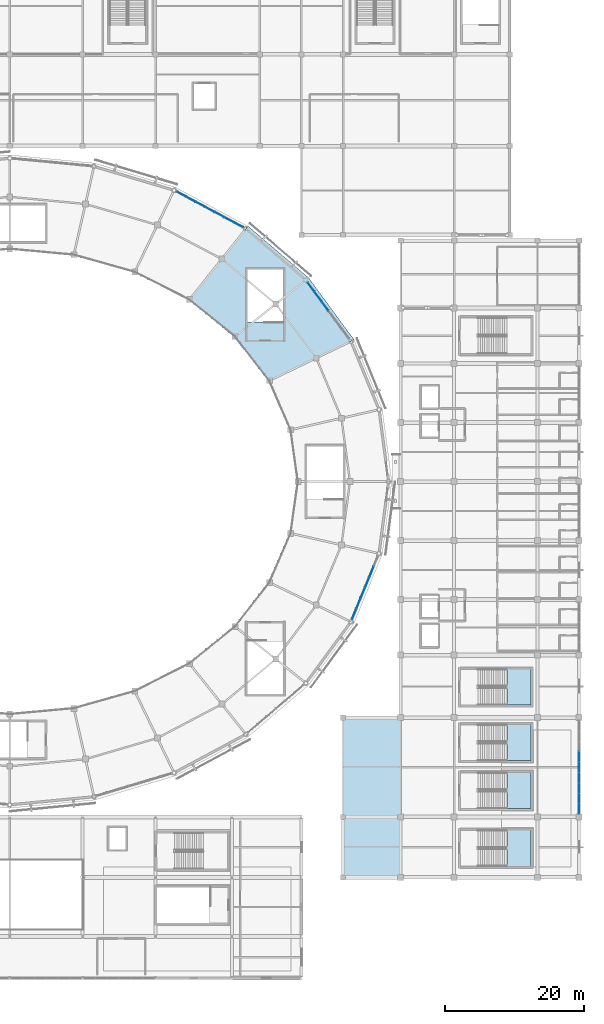
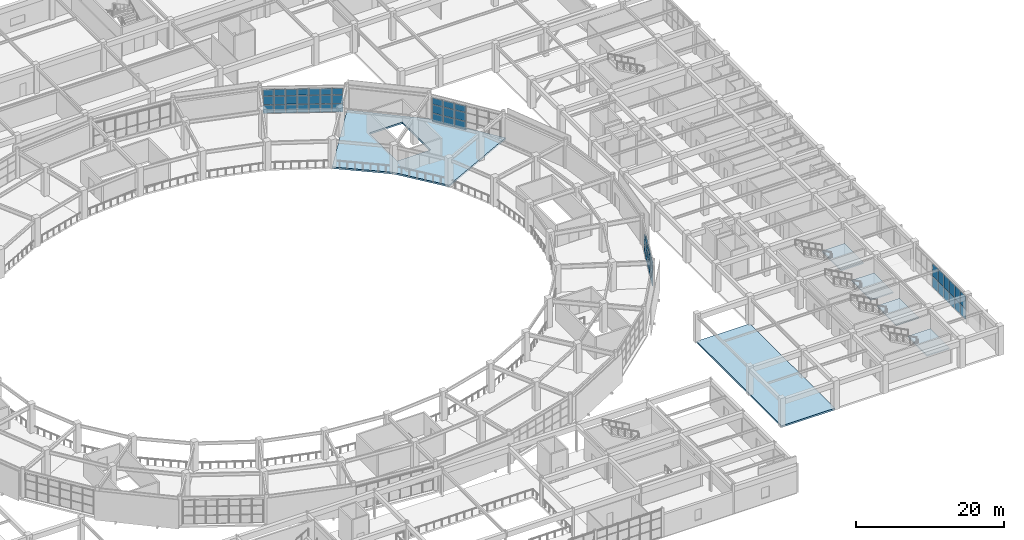
# One storey, part 73 of 112: 56 plates, 6 slabs, 8 elements without a shape of their own.
"""IFC4 building model written with IfcOpenShell, lengths in metres."""

from ifc_helpers import new_model, si_unit, direction, frame, origin, origin_2d, place, context, subcontext, project, spatial, polyline, rectangle, outline, extrude, material, layer, layer_set, type_object, element, aggregate, save


model = new_model("IFC4")

# Units and contexts
model_context = context("Model", 3, precision=1e-05, world=origin(), true_north=direction((0.0, 1.0)))
body_context = subcontext(model_context, "Body", "Model", "MODEL_VIEW")
ifc_project = project(units=[si_unit("LENGTHUNIT", "METRE"), si_unit("AREAUNIT", "SQUARE_METRE"), si_unit("VOLUMEUNIT", "CUBIC_METRE"), si_unit("PLANEANGLEUNIT", "RADIAN"), si_unit("MASSUNIT", "GRAM", prefix="KILO")], contexts=[model_context])

# Site, building, storey
site_placement = place(None, origin())
site = spatial("IfcSite", under=ifc_project, at=site_placement, CompositionType="ELEMENT")
building_placement = place(site_placement, origin())
building = spatial("IfcBuilding", under=site, at=building_placement, Name="Cuetzalor Civic Arena", CompositionType="ELEMENT")
storey_placement = place(building_placement, frame((0.0, 0.0, 11.39990234375)))
storey = spatial("IfcBuildingStorey", under=building, at=storey_placement, Name="L02", CompositionType="ELEMENT", Elevation=11.39990234375)

# Curtain wall, plates
ifc_material_1 = material(Name="Anodised dark bronze aluminium and low-E solar glass", Category="aluminium")
curtain_wall_type_1 = type_object("IfcCurtainWallType", Name="UnitisedCW_10150x4050", PredefinedType="USERDEFINED", material=ifc_material_1)
curtain_wall_1_placement = place(storey_placement, origin())
curtain_wall_1 = element("IfcCurtainWall", 1, at=curtain_wall_1_placement, inside=storey, type_object=curtain_wall_type_1, Name="Drum Triangle Foyer Curtain Wall L02-033", ObjectType="UNITISED CURTAIN WALL", PredefinedType="USERDEFINED")
ifc_material_2 = material(Name="Acoustic laminated solar control glass", Category="glass")
ifc_layer_1 = layer(ifc_material_2, 0.0439453125)
ifc_layer_set_1 = layer_set([ifc_layer_1], Name="Acoustic laminated solar control glass")
plate_type = type_object("IfcPlateType", Name="AcousticTripleGlazedPanel_44", PredefinedType="CURTAIN_PANEL", material=ifc_layer_set_1)
plate_1_placement = place(storey_placement, frame((43.40185546875, 28.000732421875, 0.06494140625), z_axis=(0.0, 0.0, 1.0), x_axis=(0.59292931222, -0.805254513002, 0.0)))
plate_1 = element("IfcPlate", 2, at=plate_1_placement, type_object=plate_type, Name="CW-12 panel 1.1", PredefinedType="CURTAIN_PANEL", context=body_context, shape_type="SweptSolid", body=[
    extrude(rectangle(XDim=1.59326171875, YDim=0.0439453125, at=origin_2d()), origin(), (0.0, 0.0, 1.0), 1.361572265625),
])
plate_2_placement = place(storey_placement, frame((43.40185546875, 28.000732421875, 1.491455078125), z_axis=(0.0, 0.0, 1.0), x_axis=(0.59292931222, -0.805254513002, 0.0)))
plate_2 = element("IfcPlate", 3, at=plate_2_placement, type_object=plate_type, Name="CW-12 panel 1.2", PredefinedType="CURTAIN_PANEL", context=body_context, shape_type="SweptSolid", body=[
    extrude(rectangle(XDim=1.59326171875, YDim=0.0439453125, at=origin_2d()), origin(), (0.0, 0.0, 1.0), 1.39404296875),
])
plate_3_placement = place(storey_placement, frame((43.40185546875, 28.000732421875, 2.950439453125), z_axis=(0.0, 0.0, 1.0), x_axis=(0.59292931222, -0.805254513002, 0.0)))
plate_3 = element("IfcPlate", 4, at=plate_3_placement, type_object=plate_type, Name="CW-12 panel 1.3", PredefinedType="CURTAIN_PANEL", context=body_context, shape_type="SweptSolid", body=[
    extrude(rectangle(XDim=1.59326171875, YDim=0.0439453125, at=origin_2d()), origin(), (0.0, 0.0, 1.0), 1.03759765625),
])
plate_4_placement = place(storey_placement, frame((44.394775390625, 26.652587890625, 0.06494140625), z_axis=(0.0, 0.0, 1.0), x_axis=(0.59292931222, -0.805254513002, 0.0)))
plate_4 = element("IfcPlate", 5, at=plate_4_placement, type_object=plate_type, Name="CW-12 panel 2.1", PredefinedType="CURTAIN_PANEL", context=body_context, shape_type="SweptSolid", body=[
    extrude(rectangle(XDim=1.625732421875, YDim=0.0439453125, at=origin_2d()), origin(), (0.0, 0.0, 1.0), 1.361572265625),
])
plate_5_placement = place(storey_placement, frame((44.394775390625, 26.652587890625, 1.491455078125), z_axis=(0.0, 0.0, 1.0), x_axis=(0.59292931222, -0.805254513002, 0.0)))
plate_5 = element("IfcPlate", 6, at=plate_5_placement, type_object=plate_type, Name="CW-12 panel 2.2", PredefinedType="CURTAIN_PANEL", context=body_context, shape_type="SweptSolid", body=[
    extrude(rectangle(XDim=1.625732421875, YDim=0.0439453125, at=origin_2d()), origin(), (0.0, 0.0, 1.0), 1.39404296875),
])
plate_6_placement = place(storey_placement, frame((44.394775390625, 26.652587890625, 2.950439453125), z_axis=(0.0, 0.0, 1.0), x_axis=(0.59292931222, -0.805254513002, 0.0)))
plate_6 = element("IfcPlate", 7, at=plate_6_placement, type_object=plate_type, Name="CW-12 panel 2.3", PredefinedType="CURTAIN_PANEL", context=body_context, shape_type="SweptSolid", body=[
    extrude(rectangle(XDim=1.625732421875, YDim=0.0439453125, at=origin_2d()), origin(), (0.0, 0.0, 1.0), 1.03759765625),
])
plate_7_placement = place(storey_placement, frame((45.397216796875, 25.291015625, 0.06494140625), z_axis=(0.0, 0.0, 1.0), x_axis=(0.59292931222, -0.805254513002, 0.0)))
plate_7 = element("IfcPlate", 8, at=plate_7_placement, type_object=plate_type, Name="CW-12 panel 3.1", PredefinedType="CURTAIN_PANEL", context=body_context, shape_type="SweptSolid", body=[
    extrude(rectangle(XDim=1.625732421875, YDim=0.0439453125, at=origin_2d()), origin(), (0.0, 0.0, 1.0), 1.361572265625),
])
plate_8_placement = place(storey_placement, frame((45.397216796875, 25.291015625, 1.491455078125), z_axis=(0.0, 0.0, 1.0), x_axis=(0.59292931222, -0.805254513002, 0.0)))
plate_8 = element("IfcPlate", 9, at=plate_8_placement, type_object=plate_type, Name="CW-12 panel 3.2", PredefinedType="CURTAIN_PANEL", context=body_context, shape_type="SweptSolid", body=[
    extrude(rectangle(XDim=1.625732421875, YDim=0.0439453125, at=origin_2d()), origin(), (0.0, 0.0, 1.0), 1.39404296875),
])
plate_9_placement = place(storey_placement, frame((45.397216796875, 25.291015625, 2.950439453125), z_axis=(0.0, 0.0, 1.0), x_axis=(0.59292931222, -0.805254513002, 0.0)))
plate_9 = element("IfcPlate", 10, at=plate_9_placement, type_object=plate_type, Name="CW-12 panel 3.3", PredefinedType="CURTAIN_PANEL", context=body_context, shape_type="SweptSolid", body=[
    extrude(rectangle(XDim=1.625732421875, YDim=0.0439453125, at=origin_2d()), origin(), (0.0, 0.0, 1.0), 1.03759765625),
])
aggregate(curtain_wall_1, [plate_1, plate_2, plate_3, plate_4, plate_5, plate_6, plate_7, plate_8, plate_9])

ifc_material_3 = material(Name="Anodised dark bronze aluminium and low-E solar glass", Category="aluminium")
curtain_wall_type_2 = type_object("IfcCurtainWallType", Name="UnitisedCW_10950x4050", PredefinedType="USERDEFINED", material=ifc_material_3)
curtain_wall_2_placement = place(storey_placement, origin())
curtain_wall_2 = element("IfcCurtainWall", 11, at=curtain_wall_2_placement, inside=storey, type_object=curtain_wall_type_2, Name="Drum Triangle Foyer Curtain Wall L02-034", ObjectType="UNITISED CURTAIN WALL", PredefinedType="USERDEFINED")
plate_10_placement = place(storey_placement, frame((24.7197265625, 41.37646484375, 0.06494140625), z_axis=(0.0, 0.0, 1.0), x_axis=(0.881306344124, -0.472545371163, 0.0)))
plate_10 = element("IfcPlate", 12, at=plate_10_placement, type_object=plate_type, Name="CW-13 panel 1.1", PredefinedType="CURTAIN_PANEL", context=body_context, shape_type="SweptSolid", body=[
    extrude(rectangle(XDim=1.46630859375, YDim=0.0439453125, at=origin_2d()), origin(), (0.0, 0.0, 1.0), 1.361572265625),
])
plate_11_placement = place(storey_placement, frame((24.7197265625, 41.37646484375, 1.491455078125), z_axis=(0.0, 0.0, 1.0), x_axis=(0.881306344124, -0.472545371163, 0.0)))
plate_11 = element("IfcPlate", 13, at=plate_11_placement, type_object=plate_type, Name="CW-13 panel 1.2", PredefinedType="CURTAIN_PANEL", context=body_context, shape_type="SweptSolid", body=[
    extrude(rectangle(XDim=1.46630859375, YDim=0.0439453125, at=origin_2d()), origin(), (0.0, 0.0, 1.0), 1.39404296875),
])
plate_12_placement = place(storey_placement, frame((24.7197265625, 41.37646484375, 2.950439453125), z_axis=(0.0, 0.0, 1.0), x_axis=(0.881306344124, -0.472545371163, 0.0)))
plate_12 = element("IfcPlate", 14, at=plate_12_placement, type_object=plate_type, Name="CW-13 panel 1.3", PredefinedType="CURTAIN_PANEL", context=body_context, shape_type="SweptSolid", body=[
    extrude(rectangle(XDim=1.46630859375, YDim=0.0439453125, at=origin_2d()), origin(), (0.0, 0.0, 1.0), 1.03759765625),
])
plate_13_placement = place(storey_placement, frame((26.08349609375, 40.64501953125, 0.06494140625), z_axis=(0.0, 0.0, 1.0), x_axis=(0.881306344124, -0.472545371163, 0.0)))
plate_13 = element("IfcPlate", 15, at=plate_13_placement, type_object=plate_type, Name="CW-13 panel 2.1", PredefinedType="CURTAIN_PANEL", context=body_context, shape_type="SweptSolid", body=[
    extrude(rectangle(XDim=1.498779296875, YDim=0.0439453125, at=origin_2d()), origin(), (0.0, 0.0, 1.0), 1.361572265625),
])
plate_14_placement = place(storey_placement, frame((26.08349609375, 40.64501953125, 1.491455078125), z_axis=(0.0, 0.0, 1.0), x_axis=(0.881306344124, -0.472545371163, 0.0)))
plate_14 = element("IfcPlate", 16, at=plate_14_placement, type_object=plate_type, Name="CW-13 panel 2.2", PredefinedType="CURTAIN_PANEL", context=body_context, shape_type="SweptSolid", body=[
    extrude(rectangle(XDim=1.498779296875, YDim=0.0439453125, at=origin_2d()), origin(), (0.0, 0.0, 1.0), 1.39404296875),
])
plate_15_placement = place(storey_placement, frame((26.08349609375, 40.64501953125, 2.950439453125), z_axis=(0.0, 0.0, 1.0), x_axis=(0.881306344124, -0.472545371163, 0.0)))
plate_15 = element("IfcPlate", 17, at=plate_15_placement, type_object=plate_type, Name="CW-13 panel 2.3", PredefinedType="CURTAIN_PANEL", context=body_context, shape_type="SweptSolid", body=[
    extrude(rectangle(XDim=1.498779296875, YDim=0.0439453125, at=origin_2d()), origin(), (0.0, 0.0, 1.0), 1.03759765625),
])
plate_16_placement = place(storey_placement, frame((27.461669921875, 39.90625, 0.06494140625), z_axis=(0.0, 0.0, 1.0), x_axis=(0.881306344124, -0.472545371163, 0.0)))
plate_16 = element("IfcPlate", 18, at=plate_16_placement, type_object=plate_type, Name="CW-13 panel 3.1", PredefinedType="CURTAIN_PANEL", context=body_context, shape_type="SweptSolid", body=[
    extrude(rectangle(XDim=1.498779296875, YDim=0.0439453125, at=origin_2d()), origin(), (0.0, 0.0, 1.0), 1.361572265625),
])
plate_17_placement = place(storey_placement, frame((27.461669921875, 39.90625, 1.491455078125), z_axis=(0.0, 0.0, 1.0), x_axis=(0.881306344124, -0.472545371163, 0.0)))
plate_17 = element("IfcPlate", 19, at=plate_17_placement, type_object=plate_type, Name="CW-13 panel 3.2", PredefinedType="CURTAIN_PANEL", context=body_context, shape_type="SweptSolid", body=[
    extrude(rectangle(XDim=1.498779296875, YDim=0.0439453125, at=origin_2d()), origin(), (0.0, 0.0, 1.0), 1.39404296875),
])
plate_18_placement = place(storey_placement, frame((27.461669921875, 39.90625, 2.950439453125), z_axis=(0.0, 0.0, 1.0), x_axis=(0.881306344124, -0.472545371163, 0.0)))
plate_18 = element("IfcPlate", 20, at=plate_18_placement, type_object=plate_type, Name="CW-13 panel 3.3", PredefinedType="CURTAIN_PANEL", context=body_context, shape_type="SweptSolid", body=[
    extrude(rectangle(XDim=1.498779296875, YDim=0.0439453125, at=origin_2d()), origin(), (0.0, 0.0, 1.0), 1.03759765625),
])
plate_19_placement = place(storey_placement, frame((28.83984375, 39.167236328125, 0.06494140625), z_axis=(0.0, 0.0, 1.0), x_axis=(0.881306344124, -0.472545371163, 0.0)))
plate_19 = element("IfcPlate", 21, at=plate_19_placement, type_object=plate_type, Name="CW-13 panel 4.1", PredefinedType="CURTAIN_PANEL", context=body_context, shape_type="SweptSolid", body=[
    extrude(rectangle(XDim=1.498779296875, YDim=0.0439453125, at=origin_2d()), origin(), (0.0, 0.0, 1.0), 1.361572265625),
])
plate_20_placement = place(storey_placement, frame((28.83984375, 39.167236328125, 1.491455078125), z_axis=(0.0, 0.0, 1.0), x_axis=(0.881306344124, -0.472545371163, 0.0)))
plate_20 = element("IfcPlate", 22, at=plate_20_placement, type_object=plate_type, Name="CW-13 panel 4.2", PredefinedType="CURTAIN_PANEL", context=body_context, shape_type="SweptSolid", body=[
    extrude(rectangle(XDim=1.498779296875, YDim=0.0439453125, at=origin_2d()), origin(), (0.0, 0.0, 1.0), 1.39404296875),
])
plate_21_placement = place(storey_placement, frame((28.83984375, 39.167236328125, 2.950439453125), z_axis=(0.0, 0.0, 1.0), x_axis=(0.881306344124, -0.472545371163, 0.0)))
plate_21 = element("IfcPlate", 23, at=plate_21_placement, type_object=plate_type, Name="CW-13 panel 4.3", PredefinedType="CURTAIN_PANEL", context=body_context, shape_type="SweptSolid", body=[
    extrude(rectangle(XDim=1.498779296875, YDim=0.0439453125, at=origin_2d()), origin(), (0.0, 0.0, 1.0), 1.03759765625),
])
plate_22_placement = place(storey_placement, frame((30.218017578125, 38.42822265625, 0.06494140625), z_axis=(0.0, 0.0, 1.0), x_axis=(0.881306344124, -0.472545371163, 0.0)))
plate_22 = element("IfcPlate", 24, at=plate_22_placement, type_object=plate_type, Name="CW-13 panel 5.1", PredefinedType="CURTAIN_PANEL", context=body_context, shape_type="SweptSolid", body=[
    extrude(rectangle(XDim=1.498779296875, YDim=0.0439453125, at=origin_2d()), origin(), (0.0, 0.0, 1.0), 1.361572265625),
])
plate_23_placement = place(storey_placement, frame((30.218017578125, 38.42822265625, 1.491455078125), z_axis=(0.0, 0.0, 1.0), x_axis=(0.881306344124, -0.472545371163, 0.0)))
plate_23 = element("IfcPlate", 25, at=plate_23_placement, type_object=plate_type, Name="CW-13 panel 5.2", PredefinedType="CURTAIN_PANEL", context=body_context, shape_type="SweptSolid", body=[
    extrude(rectangle(XDim=1.498779296875, YDim=0.0439453125, at=origin_2d()), origin(), (0.0, 0.0, 1.0), 1.39404296875),
])
plate_24_placement = place(storey_placement, frame((30.218017578125, 38.42822265625, 2.950439453125), z_axis=(0.0, 0.0, 1.0), x_axis=(0.881306344124, -0.472545371163, 0.0)))
plate_24 = element("IfcPlate", 26, at=plate_24_placement, type_object=plate_type, Name="CW-13 panel 5.3", PredefinedType="CURTAIN_PANEL", context=body_context, shape_type="SweptSolid", body=[
    extrude(rectangle(XDim=1.498779296875, YDim=0.0439453125, at=origin_2d()), origin(), (0.0, 0.0, 1.0), 1.03759765625),
])
plate_25_placement = place(storey_placement, frame((31.59619140625, 37.689208984375, 0.06494140625), z_axis=(0.0, 0.0, 1.0), x_axis=(0.881306344124, -0.472545371163, 0.0)))
plate_25 = element("IfcPlate", 27, at=plate_25_placement, type_object=plate_type, Name="CW-13 panel 6.1", PredefinedType="CURTAIN_PANEL", context=body_context, shape_type="SweptSolid", body=[
    extrude(rectangle(XDim=1.498779296875, YDim=0.0439453125, at=origin_2d()), origin(), (0.0, 0.0, 1.0), 1.361572265625),
])
plate_26_placement = place(storey_placement, frame((31.59619140625, 37.689208984375, 1.491455078125), z_axis=(0.0, 0.0, 1.0), x_axis=(0.881306344124, -0.472545371163, 0.0)))
plate_26 = element("IfcPlate", 28, at=plate_26_placement, type_object=plate_type, Name="CW-13 panel 6.2", PredefinedType="CURTAIN_PANEL", context=body_context, shape_type="SweptSolid", body=[
    extrude(rectangle(XDim=1.498779296875, YDim=0.0439453125, at=origin_2d()), origin(), (0.0, 0.0, 1.0), 1.39404296875),
])
plate_27_placement = place(storey_placement, frame((31.59619140625, 37.689208984375, 2.950439453125), z_axis=(0.0, 0.0, 1.0), x_axis=(0.881306344124, -0.472545371163, 0.0)))
plate_27 = element("IfcPlate", 29, at=plate_27_placement, type_object=plate_type, Name="CW-13 panel 6.3", PredefinedType="CURTAIN_PANEL", context=body_context, shape_type="SweptSolid", body=[
    extrude(rectangle(XDim=1.498779296875, YDim=0.0439453125, at=origin_2d()), origin(), (0.0, 0.0, 1.0), 1.03759765625),
])
plate_28_placement = place(storey_placement, frame((32.9599609375, 36.9580078125, 0.06494140625), z_axis=(0.0, 0.0, 1.0), x_axis=(0.881306344124, -0.472545371163, 0.0)))
plate_28 = element("IfcPlate", 30, at=plate_28_placement, type_object=plate_type, Name="CW-13 panel 7.1", PredefinedType="CURTAIN_PANEL", context=body_context, shape_type="SweptSolid", body=[
    extrude(rectangle(XDim=1.46630859375, YDim=0.0439453125, at=origin_2d()), origin(), (0.0, 0.0, 1.0), 1.361572265625),
])
plate_29_placement = place(storey_placement, frame((32.9599609375, 36.9580078125, 1.491455078125), z_axis=(0.0, 0.0, 1.0), x_axis=(0.881306344124, -0.472545371163, 0.0)))
plate_29 = element("IfcPlate", 31, at=plate_29_placement, type_object=plate_type, Name="CW-13 panel 7.2", PredefinedType="CURTAIN_PANEL", context=body_context, shape_type="SweptSolid", body=[
    extrude(rectangle(XDim=1.46630859375, YDim=0.0439453125, at=origin_2d()), origin(), (0.0, 0.0, 1.0), 1.39404296875),
])
plate_30_placement = place(storey_placement, frame((32.9599609375, 36.9580078125, 2.950439453125), z_axis=(0.0, 0.0, 1.0), x_axis=(0.881306344124, -0.472545371163, 0.0)))
plate_30 = element("IfcPlate", 32, at=plate_30_placement, type_object=plate_type, Name="CW-13 panel 7.3", PredefinedType="CURTAIN_PANEL", context=body_context, shape_type="SweptSolid", body=[
    extrude(rectangle(XDim=1.46630859375, YDim=0.0439453125, at=origin_2d()), origin(), (0.0, 0.0, 1.0), 1.03759765625),
])
aggregate(curtain_wall_2, [plate_10, plate_11, plate_12, plate_13, plate_14, plate_15, plate_16, plate_17, plate_18, plate_19, plate_20, plate_21, plate_22, plate_23, plate_24, plate_25, plate_26, plate_27, plate_28, plate_29, plate_30])

ifc_material_4 = material(Name="Anodised dark bronze aluminium and low-E solar glass", Category="aluminium")
curtain_wall_type_3 = type_object("IfcCurtainWallType", Name="UnitisedCW_9850x4050", PredefinedType="USERDEFINED", material=ifc_material_4)
curtain_wall_3_placement = place(storey_placement, origin())
curtain_wall_3 = element("IfcCurtainWall", 33, at=curtain_wall_3_placement, inside=storey, type_object=curtain_wall_type_3, Name="Drum Triangle Foyer Curtain Wall L02-044", ObjectType="UNITISED CURTAIN WALL", PredefinedType="USERDEFINED")
plate_31_placement = place(storey_placement, frame((52.1015625, -12.993896484375, 0.06494140625), z_axis=(0.0, 0.0, 1.0), x_axis=(-0.379391428583, -0.925236263836, 0.0)))
plate_31 = element("IfcPlate", 34, at=plate_31_placement, type_object=plate_type, Name="CW-17 panel 2.1", PredefinedType="CURTAIN_PANEL", context=body_context, shape_type="SweptSolid", body=[
    extrude(rectangle(XDim=1.580810546875, YDim=0.0439453125, at=origin_2d()), origin(), (0.0, 0.0, 1.0), 1.361572265625),
])
plate_32_placement = place(storey_placement, frame((52.1015625, -12.993896484375, 1.491455078125), z_axis=(0.0, 0.0, 1.0), x_axis=(-0.379391428583, -0.925236263836, 0.0)))
plate_32 = element("IfcPlate", 35, at=plate_32_placement, type_object=plate_type, Name="CW-17 panel 2.2", PredefinedType="CURTAIN_PANEL", context=body_context, shape_type="SweptSolid", body=[
    extrude(rectangle(XDim=1.580810546875, YDim=0.0439453125, at=origin_2d()), origin(), (0.0, 0.0, 1.0), 1.39404296875),
])
plate_33_placement = place(storey_placement, frame((51.477294921875, -14.516357421875, 0.06494140625), z_axis=(0.0, 0.0, 1.0), x_axis=(-0.379391428583, -0.925236263836, 0.0)))
plate_33 = element("IfcPlate", 36, at=plate_33_placement, type_object=plate_type, Name="CW-17 panel 3.1", PredefinedType="CURTAIN_PANEL", context=body_context, shape_type="SweptSolid", body=[
    extrude(rectangle(XDim=1.580810546875, YDim=0.0439453125, at=origin_2d()), origin(), (0.0, 0.0, 1.0), 1.361572265625),
])
plate_34_placement = place(storey_placement, frame((51.477294921875, -14.516357421875, 1.491455078125), z_axis=(0.0, 0.0, 1.0), x_axis=(-0.379391428583, -0.925236263836, 0.0)))
plate_34 = element("IfcPlate", 37, at=plate_34_placement, type_object=plate_type, Name="CW-17 panel 3.2", PredefinedType="CURTAIN_PANEL", context=body_context, shape_type="SweptSolid", body=[
    extrude(rectangle(XDim=1.580810546875, YDim=0.0439453125, at=origin_2d()), origin(), (0.0, 0.0, 1.0), 1.39404296875),
])
plate_35_placement = place(storey_placement, frame((51.477294921875, -14.516357421875, 2.950439453125), z_axis=(0.0, 0.0, 1.0), x_axis=(-0.379391428583, -0.925236263836, 0.0)))
plate_35 = element("IfcPlate", 38, at=plate_35_placement, type_object=plate_type, Name="CW-17 panel 3.3", PredefinedType="CURTAIN_PANEL", context=body_context, shape_type="SweptSolid", body=[
    extrude(rectangle(XDim=1.580810546875, YDim=0.0439453125, at=origin_2d()), origin(), (0.0, 0.0, 1.0), 1.03759765625),
])
plate_36_placement = place(storey_placement, frame((50.85302734375, -16.0390625, 0.06494140625), z_axis=(0.0, 0.0, 1.0), x_axis=(-0.379391428583, -0.925236263836, 0.0)))
plate_36 = element("IfcPlate", 39, at=plate_36_placement, type_object=plate_type, Name="CW-17 panel 4.1", PredefinedType="CURTAIN_PANEL", context=body_context, shape_type="SweptSolid", body=[
    extrude(rectangle(XDim=1.580810546875, YDim=0.0439453125, at=origin_2d()), origin(), (0.0, 0.0, 1.0), 1.361572265625),
])
plate_37_placement = place(storey_placement, frame((50.85302734375, -16.0390625, 1.491455078125), z_axis=(0.0, 0.0, 1.0), x_axis=(-0.379391428583, -0.925236263836, 0.0)))
plate_37 = element("IfcPlate", 40, at=plate_37_placement, type_object=plate_type, Name="CW-17 panel 4.2", PredefinedType="CURTAIN_PANEL", context=body_context, shape_type="SweptSolid", body=[
    extrude(rectangle(XDim=1.580810546875, YDim=0.0439453125, at=origin_2d()), origin(), (0.0, 0.0, 1.0), 1.39404296875),
])
plate_38_placement = place(storey_placement, frame((50.85302734375, -16.0390625, 2.950439453125), z_axis=(0.0, 0.0, 1.0), x_axis=(-0.379391428583, -0.925236263836, 0.0)))
plate_38 = element("IfcPlate", 41, at=plate_38_placement, type_object=plate_type, Name="CW-17 panel 4.3", PredefinedType="CURTAIN_PANEL", context=body_context, shape_type="SweptSolid", body=[
    extrude(rectangle(XDim=1.580810546875, YDim=0.0439453125, at=origin_2d()), origin(), (0.0, 0.0, 1.0), 1.03759765625),
])
plate_39_placement = place(storey_placement, frame((50.228515625, -17.561767578125, 0.06494140625), z_axis=(0.0, 0.0, 1.0), x_axis=(-0.379391428583, -0.925236263836, 0.0)))
plate_39 = element("IfcPlate", 42, at=plate_39_placement, type_object=plate_type, Name="CW-17 panel 5.1", PredefinedType="CURTAIN_PANEL", context=body_context, shape_type="SweptSolid", body=[
    extrude(rectangle(XDim=1.580810546875, YDim=0.0439453125, at=origin_2d()), origin(), (0.0, 0.0, 1.0), 1.361572265625),
])
plate_40_placement = place(storey_placement, frame((50.228515625, -17.561767578125, 1.491455078125), z_axis=(0.0, 0.0, 1.0), x_axis=(-0.379391428583, -0.925236263836, 0.0)))
plate_40 = element("IfcPlate", 43, at=plate_40_placement, type_object=plate_type, Name="CW-17 panel 5.2", PredefinedType="CURTAIN_PANEL", context=body_context, shape_type="SweptSolid", body=[
    extrude(rectangle(XDim=1.580810546875, YDim=0.0439453125, at=origin_2d()), origin(), (0.0, 0.0, 1.0), 1.39404296875),
])
plate_41_placement = place(storey_placement, frame((50.228515625, -17.561767578125, 2.950439453125), z_axis=(0.0, 0.0, 1.0), x_axis=(-0.379391428583, -0.925236263836, 0.0)))
plate_41 = element("IfcPlate", 44, at=plate_41_placement, type_object=plate_type, Name="CW-17 panel 5.3", PredefinedType="CURTAIN_PANEL", context=body_context, shape_type="SweptSolid", body=[
    extrude(rectangle(XDim=1.580810546875, YDim=0.0439453125, at=origin_2d()), origin(), (0.0, 0.0, 1.0), 1.03759765625),
])
plate_42_placement = place(storey_placement, frame((49.6103515625, -19.0693359375, 0.06494140625), z_axis=(0.0, 0.0, 1.0), x_axis=(-0.379391428583, -0.925236263836, 0.0)))
plate_42 = element("IfcPlate", 45, at=plate_42_placement, type_object=plate_type, Name="CW-17 panel 6.1", PredefinedType="CURTAIN_PANEL", context=body_context, shape_type="SweptSolid", body=[
    extrude(rectangle(XDim=1.548095703125, YDim=0.0439453125, at=origin_2d()), origin(), (0.0, 0.0, 1.0), 1.361572265625),
])
plate_43_placement = place(storey_placement, frame((49.6103515625, -19.0693359375, 1.491455078125), z_axis=(0.0, 0.0, 1.0), x_axis=(-0.379391428583, -0.925236263836, 0.0)))
plate_43 = element("IfcPlate", 46, at=plate_43_placement, type_object=plate_type, Name="CW-17 panel 6.2", PredefinedType="CURTAIN_PANEL", context=body_context, shape_type="SweptSolid", body=[
    extrude(rectangle(XDim=1.548095703125, YDim=0.0439453125, at=origin_2d()), origin(), (0.0, 0.0, 1.0), 1.39404296875),
])
plate_44_placement = place(storey_placement, frame((49.6103515625, -19.0693359375, 2.950439453125), z_axis=(0.0, 0.0, 1.0), x_axis=(-0.379391428583, -0.925236263836, 0.0)))
plate_44 = element("IfcPlate", 47, at=plate_44_placement, type_object=plate_type, Name="CW-17 panel 6.3", PredefinedType="CURTAIN_PANEL", context=body_context, shape_type="SweptSolid", body=[
    extrude(rectangle(XDim=1.548095703125, YDim=0.0439453125, at=origin_2d()), origin(), (0.0, 0.0, 1.0), 1.03759765625),
])
aggregate(curtain_wall_3, [plate_31, plate_32, plate_33, plate_34, plate_35, plate_36, plate_37, plate_38, plate_39, plate_40, plate_41, plate_42, plate_43, plate_44])

ifc_material_5 = material(Name="Anodised dark bronze aluminium and low-E solar glass", Category="aluminium")
curtain_wall_type_4 = type_object("IfcCurtainWallType", Name="UnitisedCW_13500x4000", PredefinedType="USERDEFINED", material=ifc_material_5)
curtain_wall_4_placement = place(storey_placement, origin())
curtain_wall_4 = element("IfcCurtainWall", 48, at=curtain_wall_4_placement, inside=storey, type_object=curtain_wall_type_4, Name="V4E Suite Viewing Curtain Wall L02-140", ObjectType="UNITISED CURTAIN WALL", PredefinedType="USERDEFINED")
plate_45_placement = place(storey_placement, frame((82.0, -39.651611328125, 0.065185546875), z_axis=(0.0, 0.0, 1.0), x_axis=(0.0, -1.0, 0.0)))
plate_45 = element("IfcPlate", 49, at=plate_45_placement, type_object=plate_type, Name="CW-40 panel 4.1", PredefinedType="CURTAIN_PANEL", context=body_context, shape_type="SweptSolid", body=[
    extrude(rectangle(XDim=1.433349609375, YDim=0.0439453125, at=origin_2d()), origin(), (0.0, 0.0, 1.0), 1.6923828125),
])
plate_46_placement = place(storey_placement, frame((82.0, -39.651611328125, 1.82275390625), z_axis=(0.0, 0.0, 1.0), x_axis=(0.0, -1.0, 0.0)))
plate_46 = element("IfcPlate", 50, at=plate_46_placement, type_object=plate_type, Name="CW-40 panel 4.2", PredefinedType="CURTAIN_PANEL", context=body_context, shape_type="SweptSolid", body=[
    extrude(rectangle(XDim=1.433349609375, YDim=0.0439453125, at=origin_2d()), origin(), (0.0, 0.0, 1.0), 2.089599609375),
])
plate_47_placement = place(storey_placement, frame((82.0, -41.14990234375, 0.065185546875), z_axis=(0.0, 0.0, 1.0), x_axis=(0.0, -1.0, 0.0)))
plate_47 = element("IfcPlate", 51, at=plate_47_placement, type_object=plate_type, Name="CW-40 panel 5.1", PredefinedType="CURTAIN_PANEL", context=body_context, shape_type="SweptSolid", body=[
    extrude(rectangle(XDim=1.433349609375, YDim=0.0439453125, at=origin_2d()), origin(), (0.0, 0.0, 1.0), 1.6923828125),
])
plate_48_placement = place(storey_placement, frame((82.0, -41.14990234375, 1.82275390625), z_axis=(0.0, 0.0, 1.0), x_axis=(0.0, -1.0, 0.0)))
plate_48 = element("IfcPlate", 52, at=plate_48_placement, type_object=plate_type, Name="CW-40 panel 5.2", PredefinedType="CURTAIN_PANEL", context=body_context, shape_type="SweptSolid", body=[
    extrude(rectangle(XDim=1.433349609375, YDim=0.0439453125, at=origin_2d()), origin(), (0.0, 0.0, 1.0), 2.089599609375),
])
plate_49_placement = place(storey_placement, frame((82.0, -42.6484375, 0.065185546875), z_axis=(0.0, 0.0, 1.0), x_axis=(0.0, -1.0, 0.0)))
plate_49 = element("IfcPlate", 53, at=plate_49_placement, type_object=plate_type, Name="CW-40 panel 6.1", PredefinedType="CURTAIN_PANEL", context=body_context, shape_type="SweptSolid", body=[
    extrude(rectangle(XDim=1.433349609375, YDim=0.0439453125, at=origin_2d()), origin(), (0.0, 0.0, 1.0), 1.6923828125),
])
plate_50_placement = place(storey_placement, frame((82.0, -42.6484375, 1.82275390625), z_axis=(0.0, 0.0, 1.0), x_axis=(0.0, -1.0, 0.0)))
plate_50 = element("IfcPlate", 54, at=plate_50_placement, type_object=plate_type, Name="CW-40 panel 6.2", PredefinedType="CURTAIN_PANEL", context=body_context, shape_type="SweptSolid", body=[
    extrude(rectangle(XDim=1.433349609375, YDim=0.0439453125, at=origin_2d()), origin(), (0.0, 0.0, 1.0), 2.089599609375),
])
plate_51_placement = place(storey_placement, frame((82.0, -44.14697265625, 0.065185546875), z_axis=(0.0, 0.0, 1.0), x_axis=(0.0, -1.0, 0.0)))
plate_51 = element("IfcPlate", 55, at=plate_51_placement, type_object=plate_type, Name="CW-40 panel 7.1", PredefinedType="CURTAIN_PANEL", context=body_context, shape_type="SweptSolid", body=[
    extrude(rectangle(XDim=1.433349609375, YDim=0.0439453125, at=origin_2d()), origin(), (0.0, 0.0, 1.0), 1.6923828125),
])
plate_52_placement = place(storey_placement, frame((82.0, -44.14697265625, 1.82275390625), z_axis=(0.0, 0.0, 1.0), x_axis=(0.0, -1.0, 0.0)))
plate_52 = element("IfcPlate", 56, at=plate_52_placement, type_object=plate_type, Name="CW-40 panel 7.2", PredefinedType="CURTAIN_PANEL", context=body_context, shape_type="SweptSolid", body=[
    extrude(rectangle(XDim=1.433349609375, YDim=0.0439453125, at=origin_2d()), origin(), (0.0, 0.0, 1.0), 2.089599609375),
])
plate_53_placement = place(storey_placement, frame((82.0, -45.645263671875, 0.065185546875), z_axis=(0.0, 0.0, 1.0), x_axis=(0.0, -1.0, 0.0)))
plate_53 = element("IfcPlate", 57, at=plate_53_placement, type_object=plate_type, Name="CW-40 panel 8.1", PredefinedType="CURTAIN_PANEL", context=body_context, shape_type="SweptSolid", body=[
    extrude(rectangle(XDim=1.433349609375, YDim=0.0439453125, at=origin_2d()), origin(), (0.0, 0.0, 1.0), 1.6923828125),
])
plate_54_placement = place(storey_placement, frame((82.0, -45.645263671875, 1.82275390625), z_axis=(0.0, 0.0, 1.0), x_axis=(0.0, -1.0, 0.0)))
plate_54 = element("IfcPlate", 58, at=plate_54_placement, type_object=plate_type, Name="CW-40 panel 8.2", PredefinedType="CURTAIN_PANEL", context=body_context, shape_type="SweptSolid", body=[
    extrude(rectangle(XDim=1.433349609375, YDim=0.0439453125, at=origin_2d()), origin(), (0.0, 0.0, 1.0), 2.089599609375),
])
plate_55_placement = place(storey_placement, frame((82.0, -47.12744140625, 0.065185546875), z_axis=(0.0, 0.0, 1.0), x_axis=(0.0, -1.0, 0.0)))
plate_55 = element("IfcPlate", 59, at=plate_55_placement, type_object=plate_type, Name="CW-40 panel 9.1", PredefinedType="CURTAIN_PANEL", context=body_context, shape_type="SweptSolid", body=[
    extrude(rectangle(XDim=1.40087890625, YDim=0.0439453125, at=origin_2d()), origin(), (0.0, 0.0, 1.0), 1.6923828125),
])
plate_56_placement = place(storey_placement, frame((82.0, -47.12744140625, 1.82275390625), z_axis=(0.0, 0.0, 1.0), x_axis=(0.0, -1.0, 0.0)))
plate_56 = element("IfcPlate", 60, at=plate_56_placement, type_object=plate_type, Name="CW-40 panel 9.2", PredefinedType="CURTAIN_PANEL", context=body_context, shape_type="SweptSolid", body=[
    extrude(rectangle(XDim=1.40087890625, YDim=0.0439453125, at=origin_2d()), origin(), (0.0, 0.0, 1.0), 2.089599609375),
])
aggregate(curtain_wall_4, [plate_45, plate_46, plate_47, plate_48, plate_49, plate_50, plate_51, plate_52, plate_53, plate_54, plate_55, plate_56])

# Stair, slab
ifc_material_6 = material(Name="Precast concrete C40/50", Category="concrete")
stair_type = type_object("IfcStairType", Name="EnclosedExitStair_H480", PredefinedType="HALF_TURN_STAIR", material=ifc_material_6)
stair_1_placement = place(storey_placement, origin())
stair_1 = element("IfcStair", 61, at=stair_1_placement, inside=storey, type_object=stair_type, Name="L02 Enclosed Exit Stair ST-18", PredefinedType="HALF_TURN_STAIR")
ifc_material_7 = material(Name="Concrete C40/50", Category="concrete")
ifc_layer_2 = layer(ifc_material_7, 0.199951171875)
ifc_layer_set_2 = layer_set([ifc_layer_2], Name="Concrete C40/50")
slab_type_1 = type_object("IfcSlabType", Name="StairHalfLandingSlab_200", PredefinedType="LANDING", material=ifc_layer_set_2)
slab_1_placement = place(storey_placement, frame((0.0, 0.0, 2.2001953125)))
slab_1 = element("IfcSlab", 62, at=slab_1_placement, type_object=slab_type_1, Name="ST-18 landing 1", PredefinedType="LANDING", context=body_context, shape_type="SweptSolid", body=[
    extrude(outline(polyline([(71.583984375, -55.39990234375), (75.10009765625, -55.39990234375), (75.10009765625, -50.199951171875), (71.583984375, -50.199951171875), (71.583984375, -55.39990234375)])), origin(), (0.0, 0.0, 1.0), 0.199951171875),
])
aggregate(stair_1, [slab_1])

stair_2_placement = place(storey_placement, origin())
stair_2 = element("IfcStair", 63, at=stair_2_placement, inside=storey, type_object=stair_type, Name="L02 Enclosed Exit Stair ST-19", PredefinedType="HALF_TURN_STAIR")
slab_2_placement = place(storey_placement, frame((0.0, 0.0, 2.2001953125)))
slab_2 = element("IfcSlab", 64, at=slab_2_placement, type_object=slab_type_1, Name="ST-19 landing 1", PredefinedType="LANDING", context=body_context, shape_type="SweptSolid", body=[
    extrude(outline(polyline([(71.583984375, -47.10009765625), (75.10009765625, -47.10009765625), (75.10009765625, -41.89990234375), (71.583984375, -41.89990234375), (71.583984375, -47.10009765625)])), origin(), (0.0, 0.0, 1.0), 0.199951171875),
])
aggregate(stair_2, [slab_2])

stair_3_placement = place(storey_placement, origin())
stair_3 = element("IfcStair", 65, at=stair_3_placement, inside=storey, type_object=stair_type, Name="L02 Enclosed Exit Stair ST-20", PredefinedType="HALF_TURN_STAIR")
slab_3_placement = place(storey_placement, frame((0.0, 0.0, 2.2001953125)))
slab_3 = element("IfcSlab", 66, at=slab_3_placement, type_object=slab_type_1, Name="ST-20 landing 1", PredefinedType="LANDING", context=body_context, shape_type="SweptSolid", body=[
    extrude(outline(polyline([(71.583984375, -40.199951171875), (75.10009765625, -40.199951171875), (75.10009765625, -35.0), (71.583984375, -35.0), (71.583984375, -40.199951171875)])), origin(), (0.0, 0.0, 1.0), 0.199951171875),
])
aggregate(stair_3, [slab_3])

stair_4_placement = place(storey_placement, origin())
stair_4 = element("IfcStair", 67, at=stair_4_placement, inside=storey, type_object=stair_type, Name="L02 Enclosed Exit Stair ST-21", PredefinedType="HALF_TURN_STAIR")
slab_4_placement = place(storey_placement, frame((0.0, 0.0, 2.2001953125)))
slab_4 = element("IfcSlab", 68, at=slab_4_placement, type_object=slab_type_1, Name="ST-21 landing 1", PredefinedType="LANDING", context=body_context, shape_type="SweptSolid", body=[
    extrude(outline(polyline([(71.583984375, -32.199951171875), (75.10009765625, -32.199951171875), (75.10009765625, -27.0), (71.583984375, -27.0), (71.583984375, -32.199951171875)])), origin(), (0.0, 0.0, 1.0), 0.199951171875),
])
aggregate(stair_4, [slab_4])

# Slabs
ifc_material_8 = material(Name="Concrete C35/45", Category="concrete")
ifc_layer_3 = layer(ifc_material_8, 0.280029296875)
ifc_layer_set_3 = layer_set([ifc_layer_3], Name="Concrete C35/45")
slab_type_2 = type_object("IfcSlabType", Name="SuspendedFloorSlab_280", PredefinedType="FLOOR", material=ifc_layer_set_3)
slab_5_placement = place(storey_placement, frame((0.0, 0.0, -0.27978515625)))
element("IfcSlab", 69, at=slab_5_placement, inside=storey, type_object=slab_type_2, Name="Arena Concourse Sector Slab L02-02", PredefinedType="FLOOR", context=body_context, shape_type="SweptSolid", body=[
    extrude(outline(polyline([(32.446044921875, 20.886962890625), (25.874755859375, 26.19140625), (34.322998046875, 36.78515625), (43.039794921875, 29.335205078125), (49.598388671875, 20.414306640625), (37.39013671875, 14.53515625), (32.446044921875, 20.886962890625)]), holes=[polyline([(39.39990234375, 23.0), (39.39990234375, 30.60009765625), (34.199951171875, 30.60009765625), (34.199951171875, 23.0), (39.39990234375, 23.0)])]), origin(), (0.0, 0.0, 1.0), 0.27978515625),
])
slab_6_placement = place(storey_placement, frame((0.0, 0.0, -0.27978515625)))
element("IfcSlab", 70, at=slab_6_placement, inside=storey, type_object=slab_type_2, Name="V4E Return Floor Slab L02", PredefinedType="FLOOR", context=body_context, shape_type="SweptSolid", body=[
    extrude(outline(polyline([(48.0, -57.0), (56.300048828125, -57.0), (56.300048828125, -34.0), (48.0, -34.0), (48.0, -57.0)])), origin(), (0.0, 0.0, 1.0), 0.27978515625),
])

save(model, "model.ifc")
